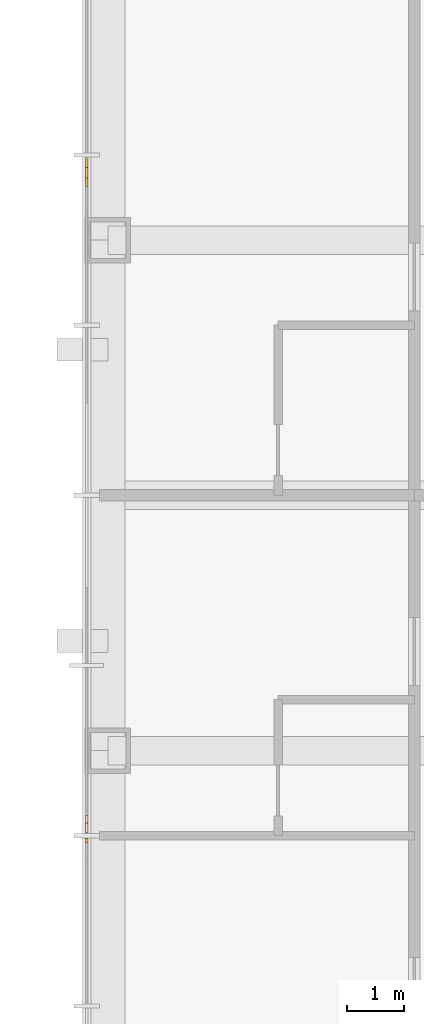
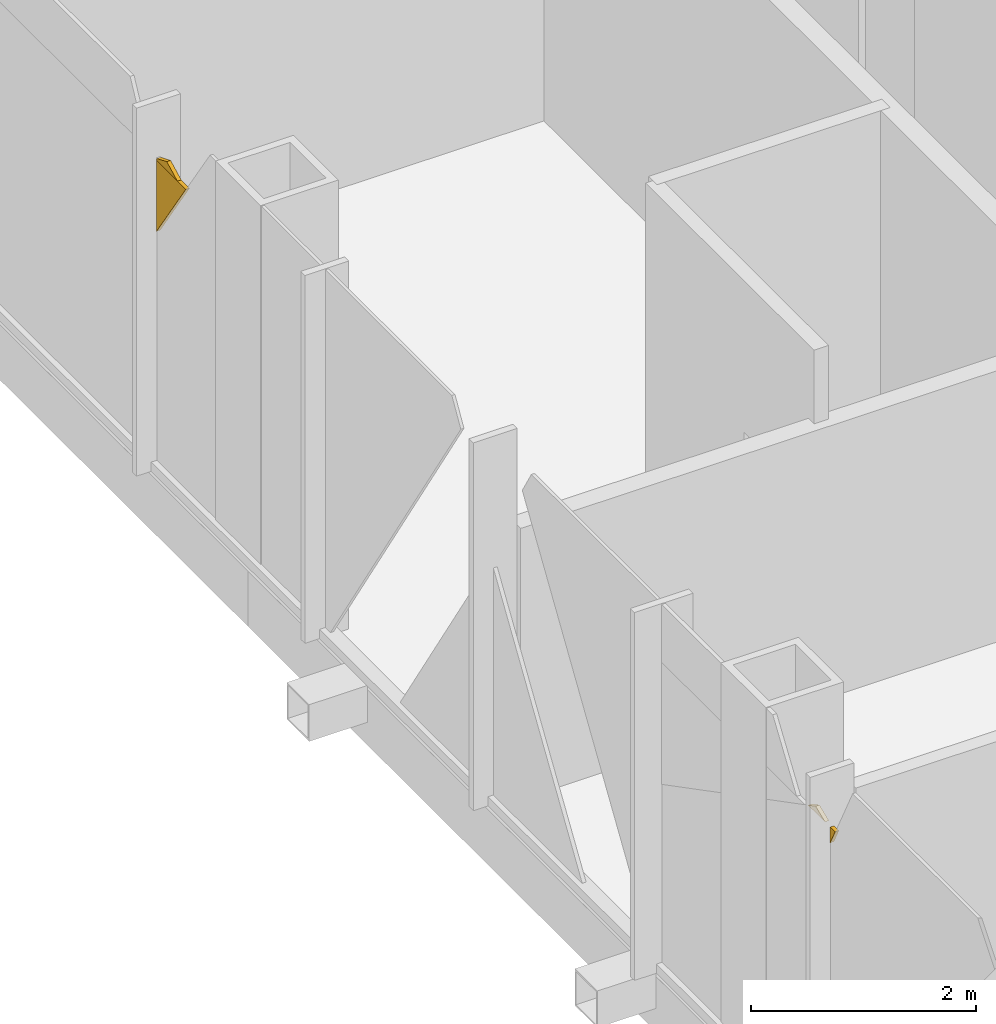
# One storey, part 16 of 25: 4 coverings.
"""IFC4 building model written with IfcOpenShell, lengths in metres."""

import ifcopenshell
import ifcopenshell.guid

model = None  # the IFC model being written
_history = None  # IfcOwnerHistory: only IFC2X3 demands one
_inside = {}  # id of a spatial element -> (the spatial element, [elements in it])
_under = {}  # id of a project, library or spatial element -> (it, [spatial elements below it])
_declared = {}  # id of a project -> (the project, [libraries it declares])
_typed = {}  # id of a type object -> (the type object, [elements of that type])
_made_of = {}  # id of a material, layer set ... -> (it, [elements and type objects made of it])


def new_model(schema):
    """Start an empty IFC model of exactly this schema.

    Asked for "IFC4X3", IfcOpenShell would pick the latest addendum, in which some entities
    have other attributes; the version numbers below select the first issue.
    IFC2X3 requires an IfcOwnerHistory on every rooted entity: one is made here for all.
    """
    global model, _history
    if schema == "IFC4X3":
        model = ifcopenshell.file(schema_version=(4, 3, 0, 0))
    else:
        model = ifcopenshell.file(schema=schema)
    _inside.clear()
    _under.clear()
    _declared.clear()
    _typed.clear()
    _made_of.clear()
    _history = None
    if model.schema == "IFC2X3":
        org = make("IfcOrganization", Name="unknown")
        user = make(
            "IfcPersonAndOrganization",
            ThePerson=make("IfcPerson", FamilyName="unknown"),
            TheOrganization=org,
        )
        app = make(
            "IfcApplication",
            ApplicationDeveloper=org,
            Version="unknown",
            ApplicationFullName="unknown",
            ApplicationIdentifier="unknown",
        )
        _history = make(
            "IfcOwnerHistory",
            OwningUser=user,
            OwningApplication=app,
            ChangeAction="ADDED",
            CreationDate=0,
        )
    return model


def make(cls, **values):
    """One entity of the class cls with the attributes given. An attribute that is None is left unset."""
    return model.create_entity(
        cls, **{name: value for name, value in values.items() if value is not None}
    )


def rooted(cls, **values):
    """An entity with a GlobalId (a new one), such as an element, a storey or a relation."""
    return make(cls, GlobalId=ifcopenshell.guid.new(), OwnerHistory=_history, **values)


def si_unit(unit_type, name, prefix=None):
    """IfcSIUnit, for example si_unit("LENGTHUNIT", "METRE", prefix="MILLI")."""
    return make("IfcSIUnit", UnitType=unit_type, Prefix=prefix, Name=name)


def assignment(units):
    """IfcUnitAssignment: the units of a project."""
    return None if units is None else make("IfcUnitAssignment", Units=units)


def point(xyz):
    """IfcCartesianPoint."""
    return None if xyz is None else make("IfcCartesianPoint", Coordinates=xyz)


def direction(xyz):
    """IfcDirection."""
    return None if xyz is None else make("IfcDirection", DirectionRatios=xyz)


def frame(location, z_axis=None, x_axis=None):
    """IfcAxis2Placement3D, a coordinate frame: its origin and axes. An axis left out is left unset."""
    return make(
        "IfcAxis2Placement3D",
        Location=point(location),
        Axis=direction(z_axis),
        RefDirection=direction(x_axis),
    )


def origin():
    """The frame at (0, 0, 0) with its axes left unset."""
    return frame((0.0, 0.0, 0.0))


def place(relative_to, where):
    """IfcLocalPlacement: puts the frame where relative to a parent placement (None: the world)."""
    return make(
        "IfcLocalPlacement", PlacementRelTo=relative_to, RelativePlacement=where
    )


def context(
    kind, dimensions, precision=None, world=None, true_north=None, identifier=None
):
    """IfcGeometricRepresentationContext, for example the 3D "Model" context."""
    return make(
        "IfcGeometricRepresentationContext",
        ContextIdentifier=identifier,
        ContextType=kind,
        CoordinateSpaceDimension=dimensions,
        Precision=precision,
        WorldCoordinateSystem=world,
        TrueNorth=true_north,
    )


def subcontext(parent, identifier, kind, view, scale=None):
    """IfcGeometricRepresentationSubContext, for example "Body" below "Model"."""
    return make(
        "IfcGeometricRepresentationSubContext",
        ContextIdentifier=identifier,
        ContextType=kind,
        ParentContext=parent,
        TargetScale=scale,
        TargetView=view,
    )


def project(units=None, contexts=None):
    """IfcProject with its units and contexts."""
    return rooted(
        "IfcProject",
        Name="project",
        RepresentationContexts=contexts,
        UnitsInContext=assignment(units),
    )


def spatial(cls, under=None, at=None, **own):
    """A site, building, storey or space (cls), placed at a placement, below another one or the project."""
    s = rooted(cls, ObjectPlacement=at, **own)
    if under is not None:
        _under.setdefault(under.id(), (under, []))[1].append(s)
    return s


def polyline(points):
    """IfcPolyline through the points."""
    return make("IfcPolyline", Points=[point(p) for p in points])


def outline(outer, holes=None, kind="AREA"):
    """IfcArbitraryClosedProfileDef: a profile drawn as a closed curve; with holes, ...WithVoids."""
    if holes is None:
        return make("IfcArbitraryClosedProfileDef", ProfileType=kind, OuterCurve=outer)
    return make(
        "IfcArbitraryProfileDefWithVoids",
        ProfileType=kind,
        OuterCurve=outer,
        InnerCurves=holes,
    )


def extrude(swept, where, along, depth):
    """IfcExtrudedAreaSolid: the profile swept, set in the frame where, extruded along a direction by depth."""
    return make(
        "IfcExtrudedAreaSolid",
        SweptArea=swept,
        Position=where,
        ExtrudedDirection=direction(along),
        Depth=depth,
    )


def shape(context_of_items, identifier, shape_type, items):
    """IfcShapeRepresentation: the items that make up one representation, for example the "Body"."""
    return make(
        "IfcShapeRepresentation",
        ContextOfItems=context_of_items,
        RepresentationIdentifier=identifier,
        RepresentationType=shape_type,
        Items=items,
    )


def material(Name=None, Category=None):
    """IfcMaterial."""
    return make("IfcMaterial", Name=Name, Category=Category)


def layer(
    of_material, thickness, ventilated=None, Name=None, Category=None, Priority=None
):
    """IfcMaterialLayer: one layer of a wall or slab, of a material (None: an air gap)."""
    return make(
        "IfcMaterialLayer",
        Material=of_material,
        LayerThickness=thickness,
        IsVentilated=ventilated,
        Name=Name,
        Category=Category,
        Priority=Priority,
    )


def layer_set(layers, Name=None):
    """IfcMaterialLayerSet."""
    return make("IfcMaterialLayerSet", MaterialLayers=layers, LayerSetName=Name)


def made_of(thing, what):
    """Note that an element or type object is made of a material, layer set ...; save() writes the relation."""
    if what is not None:
        _made_of.setdefault(what.id(), (what, []))[1].append(thing)
    return thing


def type_object(cls, material=None, **own):
    """A type object (cls), such as IfcWallType, which elements share."""
    return made_of(rooted(cls, **own), material)


def element(
    cls,
    number,
    at=None,
    inside=None,
    cuts=None,
    type_object=None,
    material=None,
    context=None,
    identifier="Body",
    shape_type=None,
    held_by="IfcProductDefinitionShape",
    body=None,
    shapes=None,
    **own,
):
    """One element of the class cls, such as IfcWall. Its Tag is "e" and its number.

    at: its placement. inside: the storey or other place that contains it. cuts: it is an
    opening in that element (IfcRelVoidsElement). A single representation is given by context,
    identifier, shape_type and body (its items); several are given by shapes. held_by: the class
    of the entity that holds the representations. save() writes the other relations.
    """
    e = rooted(cls, Tag="e%d" % number, ObjectPlacement=at, **own)
    if body is not None:
        shapes = [shape(context, identifier, shape_type, body)]
    if shapes is not None:
        e.Representation = make(held_by, Representations=shapes)
    if inside is not None:
        _inside.setdefault(inside.id(), (inside, []))[1].append(e)
    if cuts is not None:
        rooted(
            "IfcRelVoidsElement", RelatingBuildingElement=cuts, RelatedOpeningElement=e
        )
    if type_object is not None:
        _typed.setdefault(type_object.id(), (type_object, []))[1].append(e)
    return made_of(e, material)


def aggregate(whole, parts):
    """IfcRelAggregates: a whole, such as a stair, and the parts it consists of."""
    return rooted("IfcRelAggregates", RelatingObject=whole, RelatedObjects=parts)


def save(model, path):
    """Write the relations noted so far, then the file.

    IfcRelAggregates (storeys below a building ...), IfcRelContainedInSpatialStructure (elements
    in a storey), IfcRelDefinesByType, IfcRelAssociatesMaterial and IfcRelDeclares: one each for
    every whole, place, type object, material and project.
    """
    for whole, parts in _under.values():
        aggregate(whole, parts)
    for where, things in _inside.values():
        rooted(
            "IfcRelContainedInSpatialStructure",
            RelatedElements=things,
            RelatingStructure=where,
        )
    for kind, things in _typed.values():
        rooted("IfcRelDefinesByType", RelatedObjects=things, RelatingType=kind)
    for what, things in _made_of.values():
        rooted("IfcRelAssociatesMaterial", RelatedObjects=things, RelatingMaterial=what)
    for by, libraries in _declared.values():
        rooted("IfcRelDeclares", RelatingContext=by, RelatedDefinitions=libraries)
    model.write(path)


model = new_model("IFC4")

# Units and contexts
model_context = context("Model", 3, precision=1e-05, world=origin(), true_north=direction((0.0, 1.0)))
body_context = subcontext(model_context, "Body", "Model", "MODEL_VIEW")
ifc_project = project(units=[si_unit("LENGTHUNIT", "METRE"), si_unit("AREAUNIT", "SQUARE_METRE"), si_unit("VOLUMEUNIT", "CUBIC_METRE"), si_unit("PLANEANGLEUNIT", "RADIAN"), si_unit("MASSUNIT", "GRAM", prefix="KILO")], contexts=[model_context])

# Site, building, storey
site_placement = place(None, origin())
site = spatial("IfcSite", under=ifc_project, at=site_placement, CompositionType="ELEMENT")
building_placement = place(site_placement, origin())
building = spatial("IfcBuilding", under=site, at=building_placement, Name="Malebo Sky Hospital", CompositionType="ELEMENT")
storey_placement = place(building_placement, frame((0.0, 0.0, 241.0)))
storey = spatial("IfcBuildingStorey", under=building, at=storey_placement, Name="L58", CompositionType="ELEMENT", Elevation=241.0)

# Coverings
ifc_material = material(Name="Anodised aluminium, natural silver insulated infill panel", Category="aluminium")
ifc_layer = layer(ifc_material, 0.0400390625)
ifc_layer_set = layer_set([ifc_layer], Name="BRACE INFILL PANEL 40")
covering_type = type_object("IfcCoveringType", Name="BRACE INFILL PANEL 40", PredefinedType="CLADDING", material=ifc_layer_set)
covering_1_placement = place(storey_placement, frame((37.425048828125, 55.91845703125, 3.217529296875), z_axis=(0.0, 0.0, 1.0), x_axis=(0.0, 1.0, 0.0)))
element("IfcCovering", 1, at=covering_1_placement, inside=storey, type_object=covering_type, Name="Brace infill panel 5.1", PredefinedType="CLADDING", context=body_context, shape_type="SweptSolid", body=[
    extrude(outline(polyline([(0.044189453125, 0.0), (0.044189453125, 0.17236328125), (-0.0439453125, 0.17236328125), (0.044189453125, 0.0)])), frame((0.0, 0.02001953125, 0.0), z_axis=(0.0, -1.0, 0.0), x_axis=(1.0, 0.0, 0.0)), (0.0, 0.0, 1.0), 0.0400390625),
])
covering_2_placement = place(storey_placement, frame((37.425048828125, 56.204345703125, 3.389892578125), z_axis=(0.0, 0.0, 1.0), x_axis=(0.0, 1.0, 0.0)))
element("IfcCovering", 2, at=covering_2_placement, inside=storey, type_object=covering_type, Name="Brace infill panel 6.3", PredefinedType="CLADDING", context=body_context, shape_type="SweptSolid", body=[
    extrude(outline(polyline([(-0.149658203125, 0.0), (0.149658203125, 0.0), (0.01708984375, 0.06884765625), (-0.149658203125, 0.0)])), frame((0.0, 0.02001953125, 0.0), z_axis=(0.0, -1.0, 0.0), x_axis=(1.0, 0.0, 0.0)), (0.0, 0.0, 1.0), 0.0400390625),
])
covering_3_placement = place(storey_placement, frame((37.425048828125, 67.701904296875, 2.58984375), z_axis=(0.0, 0.0, 1.0), x_axis=(0.0, 1.0, 0.0)))
element("IfcCovering", 3, at=covering_3_placement, inside=storey, type_object=covering_type, Name="Brace infill panel 9.1", PredefinedType="CLADDING", context=body_context, shape_type="SweptSolid", body=[
    extrude(outline(polyline([(0.260498046875, 0.0), (0.260498046875, 0.77099609375), (-0.260498046875, 0.77099609375), (0.260498046875, 0.0)])), frame((0.0, 0.02001953125, 0.0), z_axis=(0.0, -1.0, 0.0), x_axis=(1.0, 0.0, 0.0)), (0.0, 0.0, 1.0), 0.0400390625),
])
covering_4_placement = place(storey_placement, frame((37.425048828125, 67.7763671875, 3.36083984375), z_axis=(0.0, 0.0, 1.0), x_axis=(0.0, 1.0, 0.0)))
element("IfcCovering", 4, at=covering_4_placement, inside=storey, type_object=covering_type, Name="Brace infill panel 9.2", PredefinedType="CLADDING", context=body_context, shape_type="SweptSolid", body=[
    extrude(outline(polyline([(-0.18603515625, 0.0), (0.18603515625, 0.0), (0.18603515625, 0.02197265625), (0.001953125, 0.097900390625), (-0.18603515625, 0.0)])), frame((0.0, 0.02001953125, 0.0), z_axis=(0.0, -1.0, 0.0), x_axis=(1.0, 0.0, 0.0)), (0.0, 0.0, 1.0), 0.0400390625),
])

save(model, "model.ifc")
